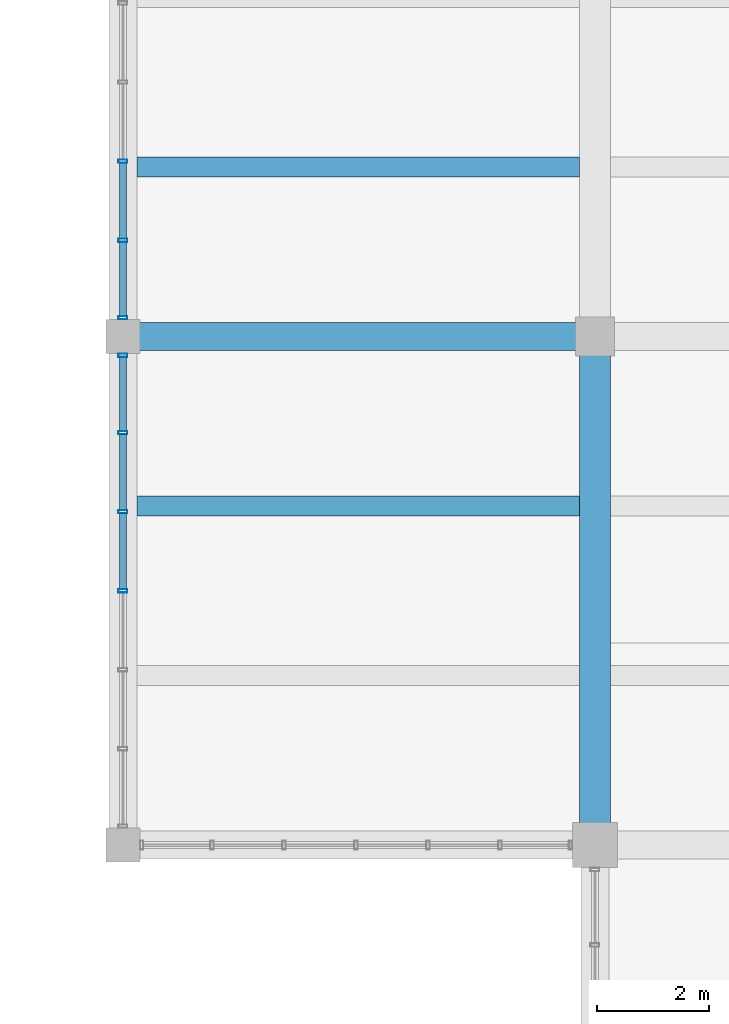
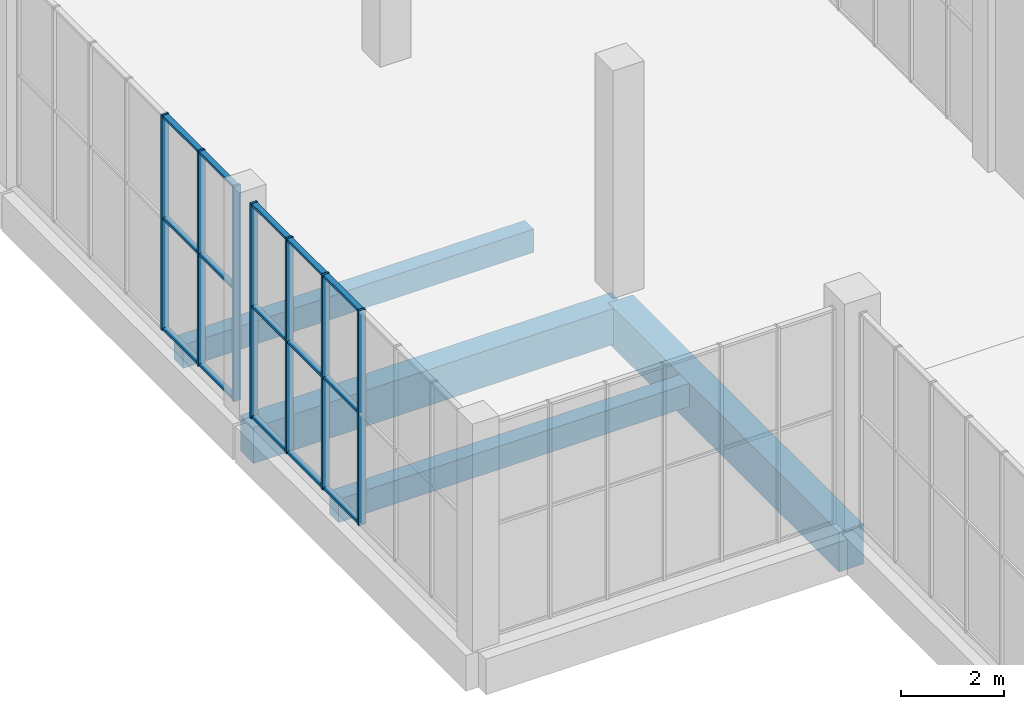
# One storey, part 14 of 132: 22 members, 4 beams, 2 elements without a shape of their own.
"""IFC4 building model written with IfcOpenShell, lengths in metres."""

from ifc_helpers import new_model, si_unit, direction, frame, origin, origin_2d, place, context, subcontext, project, spatial, rectangle, hollow_rectangle, extrude, material, material_profile, profile_set, type_object, element, aggregate, save


model = new_model("IFC4")

# Units and contexts
model_context = context("Model", 3, precision=1e-05, world=origin(), true_north=direction((0.0, 1.0)))
body_context = subcontext(model_context, "Body", "Model", "MODEL_VIEW")
ifc_project = project(units=[si_unit("LENGTHUNIT", "METRE"), si_unit("AREAUNIT", "SQUARE_METRE"), si_unit("VOLUMEUNIT", "CUBIC_METRE"), si_unit("PLANEANGLEUNIT", "RADIAN"), si_unit("MASSUNIT", "GRAM", prefix="KILO")], contexts=[model_context])

# Site, building, storey
site_placement = place(None, origin())
site = spatial("IfcSite", under=ifc_project, at=site_placement, CompositionType="ELEMENT")
building_placement = place(site_placement, origin())
building = spatial("IfcBuilding", under=site, at=building_placement, Name="Khurvash Pelagic Aquarium", CompositionType="ELEMENT")
storey_placement = place(building_placement, frame((0.0, 0.0, 5.39990234375)))
storey = spatial("IfcBuildingStorey", under=building, at=storey_placement, Name="L01", CompositionType="ELEMENT", Elevation=5.39990234375)

# Beams
ifc_material_1 = material(Name="Concrete C40/50", Category="concrete")
ifc_material_profile_1 = material_profile(ifc_material_1, rectangle(XDim=0.550048828125, YDim=0.949951171875, at=origin_2d()), Name="RC550X950")
ifc_profile_set_1 = profile_set([ifc_material_profile_1], Name="Concrete C40/50")
beam_type_1 = type_object("IfcBeamType", Name="BM-02", PredefinedType="BEAM", material=ifc_profile_set_1)
beam_1_placement = place(storey_placement, frame((25.199951171875, 29.7900390625, -0.784912109375), z_axis=(0.0, 1.0, 0.0), x_axis=(-1.0, 0.0, 0.0)))
element("IfcBeam", 1, at=beam_1_placement, inside=storey, type_object=beam_type_1, Name="L01 Primary Girder BM-02 00362", PredefinedType="BEAM", context=body_context, shape_type="SweptSolid", body=[
    extrude(rectangle(XDim=0.550048828125, YDim=0.949951171875, at=origin_2d()), origin(), (0.0, 0.0, 1.0), 8.969970703125),
])
ifc_material_profile_2 = material_profile(ifc_material_1, rectangle(XDim=0.5, YDim=0.85009765625, at=origin_2d()), Name="RC500X850")
ifc_profile_set_2 = profile_set([ifc_material_profile_2], Name="Concrete C40/50")
beam_type_2 = type_object("IfcBeamType", Name="BM-03", PredefinedType="BEAM", material=ifc_profile_set_2)
beam_2_placement = place(storey_placement, frame((16.840087890625, 38.800048828125, -0.744873046875), z_axis=(1.0, 0.0, 0.0), x_axis=(0.0, 1.0, 0.0)))
element("IfcBeam", 2, at=beam_2_placement, inside=storey, type_object=beam_type_2, Name="L01 Primary Girder BM-03 00289", PredefinedType="BEAM", context=body_context, shape_type="SweptSolid", body=[
    extrude(rectangle(XDim=0.5, YDim=0.85009765625, at=origin_2d()), origin(), (0.0, 0.0, 1.0), 8.31982421875),
])

# Curtain wall, members
ifc_material_2 = material(Name="Anodised aluminium and low-E laminated glass", Category="aluminium")
curtain_wall_type = type_object("IfcCurtainWallType", Name="CW-06", PredefinedType="USERDEFINED", material=ifc_material_2)
curtain_wall_1_placement = place(storey_placement, origin())
curtain_wall_1 = element("IfcCurtainWall", 3, at=curtain_wall_1_placement, inside=storey, type_object=curtain_wall_type, Name="L01 Facade Unitised Curtain Wall CW-06 0128", ObjectType="UNITISED CURTAIN WALL", PredefinedType="USERDEFINED")
ifc_material_3 = material(Name="Extruded aluminium AW-6063-T6", Category="aluminium")
ifc_material_profile_3 = material_profile(ifc_material_3, hollow_rectangle(XDim=0.06005859375, YDim=0.159912109375, WallThickness=0.00390625, at=origin_2d()), Name="CWM60X160X4")
ifc_profile_set_3 = profile_set([ifc_material_profile_3], Name="Extruded aluminium AW-6063-T6")
member_type_1 = type_object("IfcMemberType", Name="CM-02", PredefinedType="MULLION", material=ifc_profile_set_3)
member_1_placement = place(storey_placement, frame((16.800048828125, 41.918212890625, 0.0), z_axis=(0.0, 0.0, 1.0), x_axis=(0.0, -1.0, 0.0)))
member_1 = element("IfcMember", 4, at=member_1_placement, type_object=member_type_1, Name="CW-06 mullion 5", PredefinedType="MULLION", context=body_context, shape_type="SweptSolid", body=[
    extrude(hollow_rectangle(XDim=0.06005859375, YDim=0.159912109375, WallThickness=0.00390625, at=origin_2d()), origin(), (0.0, 0.0, 1.0), 5.10009765625),
])
member_2_placement = place(storey_placement, frame((16.800048828125, 40.51171875, 0.0), z_axis=(0.0, 0.0, 1.0), x_axis=(0.0, -1.0, 0.0)))
member_2 = element("IfcMember", 5, at=member_2_placement, type_object=member_type_1, Name="CW-06 mullion 6", PredefinedType="MULLION", context=body_context, shape_type="SweptSolid", body=[
    extrude(hollow_rectangle(XDim=0.06005859375, YDim=0.159912109375, WallThickness=0.00390625, at=origin_2d()), origin(), (0.0, 0.0, 1.0), 5.10009765625),
])
member_3_placement = place(storey_placement, frame((16.800048828125, 39.135009765625, 0.0), z_axis=(0.0, 0.0, 1.0), x_axis=(0.0, -1.0, 0.0)))
member_3 = element("IfcMember", 6, at=member_3_placement, type_object=member_type_1, Name="CW-06 mullion 7", PredefinedType="MULLION", context=body_context, shape_type="SweptSolid", body=[
    extrude(hollow_rectangle(XDim=0.06005859375, YDim=0.159912109375, WallThickness=0.00390625, at=origin_2d()), origin(), (0.0, 0.0, 1.0), 5.10009765625),
])

curtain_wall_2_placement = place(storey_placement, origin())
curtain_wall_2 = element("IfcCurtainWall", 7, at=curtain_wall_2_placement, inside=storey, type_object=curtain_wall_type, Name="L01 Facade Unitised Curtain Wall CW-06 0129", ObjectType="UNITISED CURTAIN WALL", PredefinedType="USERDEFINED")
member_4_placement = place(storey_placement, frame((16.800048828125, 38.465087890625, 0.0), z_axis=(0.0, 0.0, 1.0), x_axis=(0.0, -1.0, 0.0)))
member_4 = element("IfcMember", 8, at=member_4_placement, type_object=member_type_1, Name="CW-06 mullion 1", PredefinedType="MULLION", context=body_context, shape_type="SweptSolid", body=[
    extrude(hollow_rectangle(XDim=0.06005859375, YDim=0.159912109375, WallThickness=0.00390625, at=origin_2d()), origin(), (0.0, 0.0, 1.0), 5.10009765625),
])
member_5_placement = place(storey_placement, frame((16.800048828125, 37.08837890625, 0.0), z_axis=(0.0, 0.0, 1.0), x_axis=(0.0, -1.0, 0.0)))
member_5 = element("IfcMember", 9, at=member_5_placement, type_object=member_type_1, Name="CW-06 mullion 2", PredefinedType="MULLION", context=body_context, shape_type="SweptSolid", body=[
    extrude(hollow_rectangle(XDim=0.06005859375, YDim=0.159912109375, WallThickness=0.00390625, at=origin_2d()), origin(), (0.0, 0.0, 1.0), 5.10009765625),
])
member_6_placement = place(storey_placement, frame((16.800048828125, 35.681640625, 0.0), z_axis=(0.0, 0.0, 1.0), x_axis=(0.0, -1.0, 0.0)))
member_6 = element("IfcMember", 10, at=member_6_placement, type_object=member_type_1, Name="CW-06 mullion 3", PredefinedType="MULLION", context=body_context, shape_type="SweptSolid", body=[
    extrude(hollow_rectangle(XDim=0.06005859375, YDim=0.159912109375, WallThickness=0.00390625, at=origin_2d()), origin(), (0.0, 0.0, 1.0), 5.10009765625),
])
member_7_placement = place(storey_placement, frame((16.800048828125, 34.27490234375, 0.0), z_axis=(0.0, 0.0, 1.0), x_axis=(0.0, -1.0, 0.0)))
member_7 = element("IfcMember", 11, at=member_7_placement, type_object=member_type_1, Name="CW-06 mullion 4", PredefinedType="MULLION", context=body_context, shape_type="SweptSolid", body=[
    extrude(hollow_rectangle(XDim=0.06005859375, YDim=0.159912109375, WallThickness=0.00390625, at=origin_2d()), origin(), (0.0, 0.0, 1.0), 5.10009765625),
])

# Member
ifc_material_profile_4 = material_profile(ifc_material_3, hollow_rectangle(XDim=0.1201171875, YDim=0.06005859375, WallThickness=0.00390625, at=origin_2d()), Name="CWT120X60X4")
ifc_profile_set_4 = profile_set([ifc_material_profile_4], Name="Extruded aluminium AW-6063-T6")
member_type_2 = type_object("IfcMemberType", Name="CT-02", PredefinedType="USERDEFINED", material=ifc_profile_set_4)
member_8_placement = place(storey_placement, frame((16.800048828125, 41.888427734375, 0.030029296875), z_axis=(0.0, -1.0, 0.0), x_axis=(1.0, 0.0, 0.0)))
member_8 = element("IfcMember", 12, at=member_8_placement, type_object=member_type_2, Name="CW-06 transom 5.1", ObjectType="TRANSOM", PredefinedType="USERDEFINED", context=body_context, shape_type="SweptSolid", body=[
    extrude(hollow_rectangle(XDim=0.1201171875, YDim=0.06005859375, WallThickness=0.00390625, at=origin_2d()), origin(), (0.0, 0.0, 1.0), 1.3466796875),
])

member_9_placement = place(storey_placement, frame((16.800048828125, 41.888427734375, 2.652099609375), z_axis=(0.0, -1.0, 0.0), x_axis=(1.0, 0.0, 0.0)))
member_9 = element("IfcMember", 13, at=member_9_placement, type_object=member_type_2, Name="CW-06 transom 5.2", ObjectType="TRANSOM", PredefinedType="USERDEFINED", context=body_context, shape_type="SweptSolid", body=[
    extrude(hollow_rectangle(XDim=0.1201171875, YDim=0.06005859375, WallThickness=0.00390625, at=origin_2d()), origin(), (0.0, 0.0, 1.0), 1.3466796875),
])

member_10_placement = place(storey_placement, frame((16.800048828125, 41.888427734375, 5.070068359375), z_axis=(0.0, -1.0, 0.0), x_axis=(1.0, 0.0, 0.0)))
member_10 = element("IfcMember", 14, at=member_10_placement, type_object=member_type_2, Name="CW-06 transom 5.3", ObjectType="TRANSOM", PredefinedType="USERDEFINED", context=body_context, shape_type="SweptSolid", body=[
    extrude(hollow_rectangle(XDim=0.1201171875, YDim=0.06005859375, WallThickness=0.00390625, at=origin_2d()), origin(), (0.0, 0.0, 1.0), 1.3466796875),
])

member_11_placement = place(storey_placement, frame((16.800048828125, 40.481689453125, 0.030029296875), z_axis=(0.0, -1.0, 0.0), x_axis=(1.0, 0.0, 0.0)))
member_11 = element("IfcMember", 15, at=member_11_placement, type_object=member_type_2, Name="CW-06 transom 6.1", ObjectType="TRANSOM", PredefinedType="USERDEFINED", context=body_context, shape_type="SweptSolid", body=[
    extrude(hollow_rectangle(XDim=0.1201171875, YDim=0.06005859375, WallThickness=0.00390625, at=origin_2d()), origin(), (0.0, 0.0, 1.0), 1.316650390625),
])

member_12_placement = place(storey_placement, frame((16.800048828125, 40.481689453125, 2.652099609375), z_axis=(0.0, -1.0, 0.0), x_axis=(1.0, 0.0, 0.0)))
member_12 = element("IfcMember", 16, at=member_12_placement, type_object=member_type_2, Name="CW-06 transom 6.2", ObjectType="TRANSOM", PredefinedType="USERDEFINED", context=body_context, shape_type="SweptSolid", body=[
    extrude(hollow_rectangle(XDim=0.1201171875, YDim=0.06005859375, WallThickness=0.00390625, at=origin_2d()), origin(), (0.0, 0.0, 1.0), 1.316650390625),
])

member_13_placement = place(storey_placement, frame((16.800048828125, 40.481689453125, 5.070068359375), z_axis=(0.0, -1.0, 0.0), x_axis=(1.0, 0.0, 0.0)))
member_13 = element("IfcMember", 17, at=member_13_placement, type_object=member_type_2, Name="CW-06 transom 6.3", ObjectType="TRANSOM", PredefinedType="USERDEFINED", context=body_context, shape_type="SweptSolid", body=[
    extrude(hollow_rectangle(XDim=0.1201171875, YDim=0.06005859375, WallThickness=0.00390625, at=origin_2d()), origin(), (0.0, 0.0, 1.0), 1.316650390625),
])

aggregate(curtain_wall_1, [member_1, member_2, member_3, member_8, member_9, member_10, member_11, member_12, member_13])

member_14_placement = place(storey_placement, frame((16.800048828125, 38.43505859375, 0.030029296875), z_axis=(0.0, -1.0, 0.0), x_axis=(1.0, 0.0, 0.0)))
member_14 = element("IfcMember", 18, at=member_14_placement, type_object=member_type_2, Name="CW-06 transom 1.1", ObjectType="TRANSOM", PredefinedType="USERDEFINED", context=body_context, shape_type="SweptSolid", body=[
    extrude(hollow_rectangle(XDim=0.1201171875, YDim=0.06005859375, WallThickness=0.00390625, at=origin_2d()), origin(), (0.0, 0.0, 1.0), 1.316650390625),
])

member_15_placement = place(storey_placement, frame((16.800048828125, 38.43505859375, 2.652099609375), z_axis=(0.0, -1.0, 0.0), x_axis=(1.0, 0.0, 0.0)))
member_15 = element("IfcMember", 19, at=member_15_placement, type_object=member_type_2, Name="CW-06 transom 1.2", ObjectType="TRANSOM", PredefinedType="USERDEFINED", context=body_context, shape_type="SweptSolid", body=[
    extrude(hollow_rectangle(XDim=0.1201171875, YDim=0.06005859375, WallThickness=0.00390625, at=origin_2d()), origin(), (0.0, 0.0, 1.0), 1.316650390625),
])

member_16_placement = place(storey_placement, frame((16.800048828125, 38.43505859375, 5.070068359375), z_axis=(0.0, -1.0, 0.0), x_axis=(1.0, 0.0, 0.0)))
member_16 = element("IfcMember", 20, at=member_16_placement, type_object=member_type_2, Name="CW-06 transom 1.3", ObjectType="TRANSOM", PredefinedType="USERDEFINED", context=body_context, shape_type="SweptSolid", body=[
    extrude(hollow_rectangle(XDim=0.1201171875, YDim=0.06005859375, WallThickness=0.00390625, at=origin_2d()), origin(), (0.0, 0.0, 1.0), 1.316650390625),
])

member_17_placement = place(storey_placement, frame((16.800048828125, 37.058349609375, 0.030029296875), z_axis=(0.0, -1.0, 0.0), x_axis=(1.0, 0.0, 0.0)))
member_17 = element("IfcMember", 21, at=member_17_placement, type_object=member_type_2, Name="CW-06 transom 2.1", ObjectType="TRANSOM", PredefinedType="USERDEFINED", context=body_context, shape_type="SweptSolid", body=[
    extrude(hollow_rectangle(XDim=0.1201171875, YDim=0.06005859375, WallThickness=0.00390625, at=origin_2d()), origin(), (0.0, 0.0, 1.0), 1.3466796875),
])

member_18_placement = place(storey_placement, frame((16.800048828125, 37.058349609375, 2.652099609375), z_axis=(0.0, -1.0, 0.0), x_axis=(1.0, 0.0, 0.0)))
member_18 = element("IfcMember", 22, at=member_18_placement, type_object=member_type_2, Name="CW-06 transom 2.2", ObjectType="TRANSOM", PredefinedType="USERDEFINED", context=body_context, shape_type="SweptSolid", body=[
    extrude(hollow_rectangle(XDim=0.1201171875, YDim=0.06005859375, WallThickness=0.00390625, at=origin_2d()), origin(), (0.0, 0.0, 1.0), 1.3466796875),
])

member_19_placement = place(storey_placement, frame((16.800048828125, 37.058349609375, 5.070068359375), z_axis=(0.0, -1.0, 0.0), x_axis=(1.0, 0.0, 0.0)))
member_19 = element("IfcMember", 23, at=member_19_placement, type_object=member_type_2, Name="CW-06 transom 2.3", ObjectType="TRANSOM", PredefinedType="USERDEFINED", context=body_context, shape_type="SweptSolid", body=[
    extrude(hollow_rectangle(XDim=0.1201171875, YDim=0.06005859375, WallThickness=0.00390625, at=origin_2d()), origin(), (0.0, 0.0, 1.0), 1.3466796875),
])

member_20_placement = place(storey_placement, frame((16.800048828125, 35.651611328125, 0.030029296875), z_axis=(0.0, -1.0, 0.0), x_axis=(1.0, 0.0, 0.0)))
member_20 = element("IfcMember", 24, at=member_20_placement, type_object=member_type_2, Name="CW-06 transom 3.1", ObjectType="TRANSOM", PredefinedType="USERDEFINED", context=body_context, shape_type="SweptSolid", body=[
    extrude(hollow_rectangle(XDim=0.1201171875, YDim=0.06005859375, WallThickness=0.00390625, at=origin_2d()), origin(), (0.0, 0.0, 1.0), 1.3466796875),
])

member_21_placement = place(storey_placement, frame((16.800048828125, 35.651611328125, 2.652099609375), z_axis=(0.0, -1.0, 0.0), x_axis=(1.0, 0.0, 0.0)))
member_21 = element("IfcMember", 25, at=member_21_placement, type_object=member_type_2, Name="CW-06 transom 3.2", ObjectType="TRANSOM", PredefinedType="USERDEFINED", context=body_context, shape_type="SweptSolid", body=[
    extrude(hollow_rectangle(XDim=0.1201171875, YDim=0.06005859375, WallThickness=0.00390625, at=origin_2d()), origin(), (0.0, 0.0, 1.0), 1.3466796875),
])

member_22_placement = place(storey_placement, frame((16.800048828125, 35.651611328125, 5.070068359375), z_axis=(0.0, -1.0, 0.0), x_axis=(1.0, 0.0, 0.0)))
member_22 = element("IfcMember", 26, at=member_22_placement, type_object=member_type_2, Name="CW-06 transom 3.3", ObjectType="TRANSOM", PredefinedType="USERDEFINED", context=body_context, shape_type="SweptSolid", body=[
    extrude(hollow_rectangle(XDim=0.1201171875, YDim=0.06005859375, WallThickness=0.00390625, at=origin_2d()), origin(), (0.0, 0.0, 1.0), 1.3466796875),
])

aggregate(curtain_wall_2, [member_4, member_5, member_6, member_7, member_14, member_15, member_16, member_17, member_18, member_19, member_20, member_21, member_22])

# Beams
ifc_material_4 = material(Name="Concrete C35/45", Category="concrete")
ifc_material_profile_5 = material_profile(ifc_material_4, rectangle(XDim=0.35009765625, YDim=0.550048828125, at=origin_2d()), Name="RC350X550")
ifc_profile_set_5 = profile_set([ifc_material_profile_5], Name="Concrete C35/45")
beam_type_3 = type_object("IfcBeamType", Name="JS-01", PredefinedType="JOIST", material=ifc_profile_set_5)
for number, where, z_axis, x_axis, name in (
    (27, (17.050048828125, 35.782958984375, -0.5849609375), (1.0, 0.0, 0.0), (0.0, 1.0, 0.0), "L01 Floor Joist JS-01 00447"),
    (28, (17.050048828125, 41.81689453125, -0.5849609375), (1.0, 0.0, 0.0), (0.0, 1.0, 0.0), "L01 Floor Joist JS-01 00448"),
):
    element("IfcBeam", number, at=place(storey_placement, frame(where, z_axis=z_axis, x_axis=x_axis)), inside=storey, type_object=beam_type_3, Name=name, PredefinedType="JOIST", context=body_context, shape_type="SweptSolid", body=[
        extrude(rectangle(XDim=0.35009765625, YDim=0.550048828125, at=origin_2d()), origin(), (0.0, 0.0, 1.0), 7.875),
    ])

save(model, "model.ifc")
